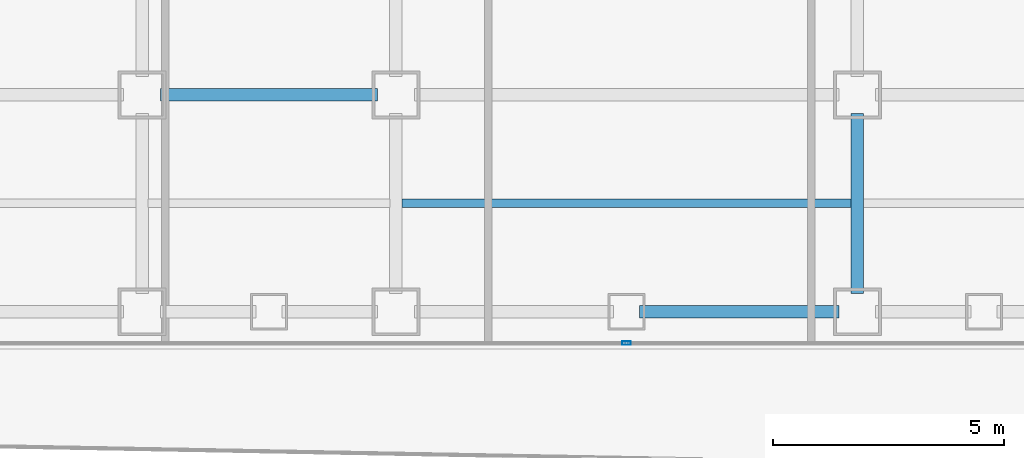
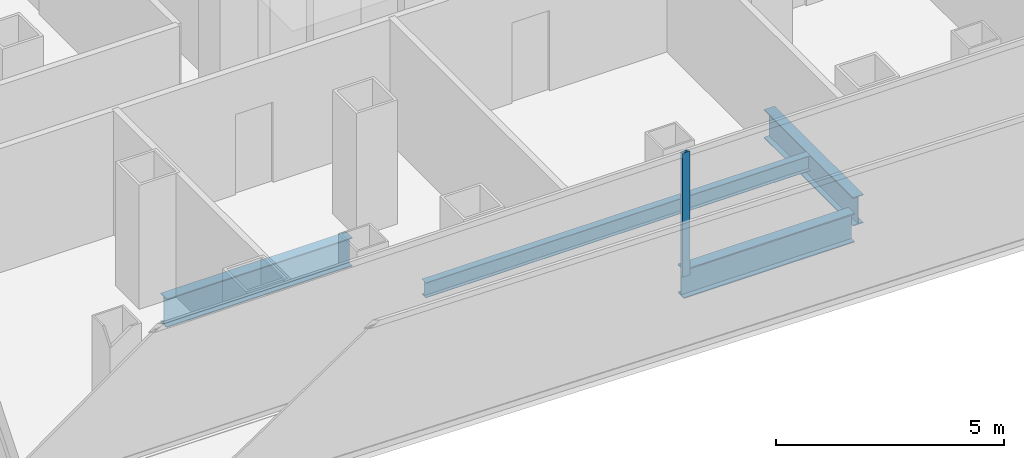
# One storey, part 4 of 22: 4 beams, 1 member, 1 element without a shape of its own.
"""IFC4 building model written with IfcOpenShell, lengths in metres."""

from ifc_helpers import new_model, si_unit, direction, frame, origin, origin_2d, place, context, subcontext, project, spatial, hollow_rectangle, i_section, extrude, source, transform, mapped, material, layer, layer_set, material_profile, profile_set, type_object, element, aggregate, save


model = new_model("IFC4")

# Units and contexts
model_context = context("Model", 3, precision=1e-05, world=origin(), true_north=direction((0.0, 1.0)))
body_context = subcontext(model_context, "Body", "Model", "MODEL_VIEW")
ifc_project = project(units=[si_unit("LENGTHUNIT", "METRE"), si_unit("AREAUNIT", "SQUARE_METRE"), si_unit("VOLUMEUNIT", "CUBIC_METRE"), si_unit("PLANEANGLEUNIT", "RADIAN"), si_unit("MASSUNIT", "GRAM", prefix="KILO")], contexts=[model_context])

# Site, building, storey
site_placement = place(None, origin())
site = spatial("IfcSite", under=ifc_project, at=site_placement, CompositionType="ELEMENT")
building_placement = place(site_placement, origin())
building = spatial("IfcBuilding", under=site, at=building_placement, Name="Kolveth Station Tower", CompositionType="ELEMENT")
storey_placement = place(building_placement, frame((0.0, 0.0, 81.0)))
storey = spatial("IfcBuildingStorey", under=building, at=storey_placement, Name="L21", CompositionType="ELEMENT", Elevation=81.0)

# Beams
ifc_material_1 = material(Name="Steel S355", Category="steel")
ifc_material_profile_1 = material_profile(ifc_material_1, i_section(OverallWidth=0.26904296875, OverallDepth=0.77490234375, WebThickness=0.01708984375, FlangeThickness=0.0283203125, at=origin_2d()), Name="W760x220")
ifc_profile_set_1 = profile_set([ifc_material_profile_1], Name="Steel S355")
beam_type_1 = type_object("IfcBeamType", Name="Beam_SP1", PredefinedType="SPANDREL", material=ifc_profile_set_1)
shared_shape_1 = source(origin(), body_context, "Body", "SweptSolid", [
    extrude(i_section(OverallWidth=0.26904296875, OverallDepth=0.77490234375, WebThickness=0.01708984375, FlangeThickness=0.0283203125, at=origin_2d()), origin(), (0.0, 0.0, 1.0), 4.320068359375),
])
beam_1_placement = place(storey_placement, frame((23.780029296875, 0.800048828125, -0.66748046875), z_axis=(1.0, 0.0, 0.0), x_axis=(0.0, 1.0, 0.0)))
element("IfcBeam", 1, at=beam_1_placement, inside=storey, type_object=beam_type_1, Name="L21 Perimeter Spandrel BM-L21-PS-6", PredefinedType="SPANDREL", context=body_context, shape_type="MappedRepresentation", body=[
    mapped(shared_shape_1, transform((0.0, 0.0, 0.0), x_axis=(1.0, 0.0, 0.0), y_axis=(0.0, 1.0, 0.0), z_axis=(0.0, 0.0, 1.0), scale=1.0)),
])
ifc_material_profile_2 = material_profile(ifc_material_1, i_section(OverallWidth=0.26708984375, OverallDepth=0.76611328125, WebThickness=0.014892578125, FlangeThickness=0.023681640625, at=origin_2d()), Name="W760x185")
ifc_profile_set_2 = profile_set([ifc_material_profile_2], Name="Steel S355")
beam_type_2 = type_object("IfcBeamType", Name="Beam_B3", PredefinedType="BEAM", material=ifc_profile_set_2)
shared_shape_2 = source(origin(), body_context, "Body", "SweptSolid", [
    extrude(i_section(OverallWidth=0.26708984375, OverallDepth=0.76611328125, WebThickness=0.014892578125, FlangeThickness=0.023681640625, at=origin_2d()), origin(), (0.0, 0.0, 1.0), 4.7001953125),
])
beam_2_placement = place(storey_placement, frame((13.39990234375, 5.5, -0.6630859375), z_axis=(1.0, 0.0, 0.0), x_axis=(0.0, 1.0, 0.0)))
element("IfcBeam", 2, at=beam_2_placement, inside=storey, type_object=beam_type_2, Name="L21 Primary Girder BM-L21-GY55-3", PredefinedType="BEAM", context=body_context, shape_type="MappedRepresentation", body=[
    mapped(shared_shape_2, transform((0.0, 0.0, 0.0), x_axis=(1.0, 0.0, 0.0), y_axis=(0.0, 1.0, 0.0), z_axis=(0.0, 0.0, 1.0), scale=1.0)),
])
shared_shape_3 = source(origin(), body_context, "Body", "SweptSolid", [
    extrude(i_section(OverallWidth=0.26708984375, OverallDepth=0.76611328125, WebThickness=0.014892578125, FlangeThickness=0.023681640625, at=origin_2d()), origin(), (0.0, 0.0, 1.0), 3.900146484375),
])
beam_3_placement = place(storey_placement, frame((28.5, 1.199951171875, -0.6630859375), z_axis=(0.0, 1.0, 0.0), x_axis=(-1.0, 0.0, 0.0)))
element("IfcBeam", 3, at=beam_3_placement, inside=storey, type_object=beam_type_2, Name="L21 Primary Girder BM-L21-GX285-1", PredefinedType="BEAM", context=body_context, shape_type="MappedRepresentation", body=[
    mapped(shared_shape_3, transform((0.0, 0.0, 0.0), x_axis=(1.0, 0.0, 0.0), y_axis=(0.0, 1.0, 0.0), z_axis=(0.0, 0.0, 1.0), scale=1.0)),
])
ifc_material_profile_3 = material_profile(ifc_material_1, i_section(OverallWidth=0.177978515625, OverallDepth=0.406982421875, WebThickness=0.0078125, FlangeThickness=0.0126953125, at=origin_2d()), Name="W410x60")
ifc_profile_set_3 = profile_set([ifc_material_profile_3], Name="Steel S355")
beam_type_3 = type_object("IfcBeamType", Name="Beam_J1", PredefinedType="JOIST", material=ifc_profile_set_3)
shared_shape_4 = source(origin(), body_context, "Body", "SweptSolid", [
    extrude(i_section(OverallWidth=0.177978515625, OverallDepth=0.406982421875, WebThickness=0.0078125, FlangeThickness=0.0126953125, at=origin_2d()), origin(), (0.0, 0.0, 1.0), 9.73681640625),
])
beam_4_placement = place(storey_placement, frame((18.631591796875, 3.14990234375, -0.4833984375), z_axis=(1.0, 0.0, 0.0), x_axis=(0.0, 1.0, 0.0)))
element("IfcBeam", 4, at=beam_4_placement, inside=storey, type_object=beam_type_3, Name="L21 Secondary Joist JST-L21-4-1", PredefinedType="JOIST", context=body_context, shape_type="MappedRepresentation", body=[
    mapped(shared_shape_4, transform((0.0, 0.0, 0.0), x_axis=(1.0, 0.0, 0.0), y_axis=(0.0, 1.0, 0.0), z_axis=(0.0, 0.0, 1.0), scale=1.0)),
])

# Curtain wall, member
ifc_material_2 = material(Name="Aluminium 6063-T6 and low-E dark glass", Category="aluminium")
ifc_layer = layer(ifc_material_2, 0.179931640625)
ifc_layer_set = layer_set([ifc_layer], Name="Aluminium 6063-T6 and low-E dark glass")
curtain_wall_type = type_object("IfcCurtainWallType", Name="CurtainWall_CW-Z1", PredefinedType="NOTDEFINED", material=ifc_layer_set)
curtain_wall_placement = place(storey_placement, origin())
curtain_wall = element("IfcCurtainWall", 5, at=curtain_wall_placement, inside=storey, type_object=curtain_wall_type, Name="L21 Inner Thermal Curtain Wall 12", PredefinedType="NOTDEFINED")
ifc_material_3 = material(Name="Black anodized aluminium 6063-T6", Category="aluminium")
ifc_material_profile_4 = material_profile(ifc_material_3, hollow_rectangle(XDim=0.074951171875, YDim=0.18994140625, WallThickness=0.0048828125, at=origin_2d()), Name="ALU-75x190x5")
ifc_profile_set_4 = profile_set([ifc_material_profile_4], Name="Black anodized aluminium 6063-T6")
member_type = type_object("IfcMemberType", Name="Mullion_ML1", PredefinedType="MULLION", material=ifc_profile_set_4)
shared_shape_5 = source(origin(), body_context, "Body", "SweptSolid", [
    extrude(hollow_rectangle(XDim=0.074951171875, YDim=0.18994140625, WallThickness=0.0048828125, at=origin_2d()), origin(), (0.0, 0.0, 1.0), 3.320068359375),
])
member_placement = place(storey_placement, frame((23.5, 0.1201171875, 0.0), z_axis=(0.0, 0.0, 1.0), x_axis=(0.0, 1.0, 0.0)))
member = element("IfcMember", 6, at=member_placement, type_object=member_type, Name="CW-Z1 mullion 2", PredefinedType="MULLION", context=body_context, shape_type="MappedRepresentation", body=[
    mapped(shared_shape_5, transform((0.0, 0.0, 0.0), x_axis=(1.0, 0.0, 0.0), y_axis=(0.0, 1.0, 0.0), z_axis=(0.0, 0.0, 1.0), scale=1.0)),
])
aggregate(curtain_wall, [member])

save(model, "model.ifc")
